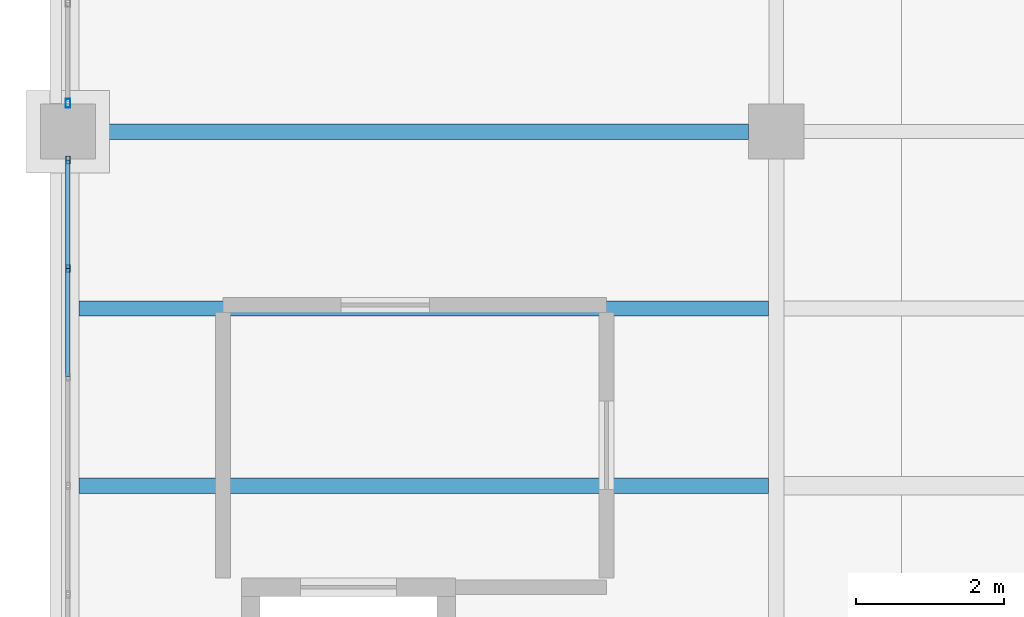
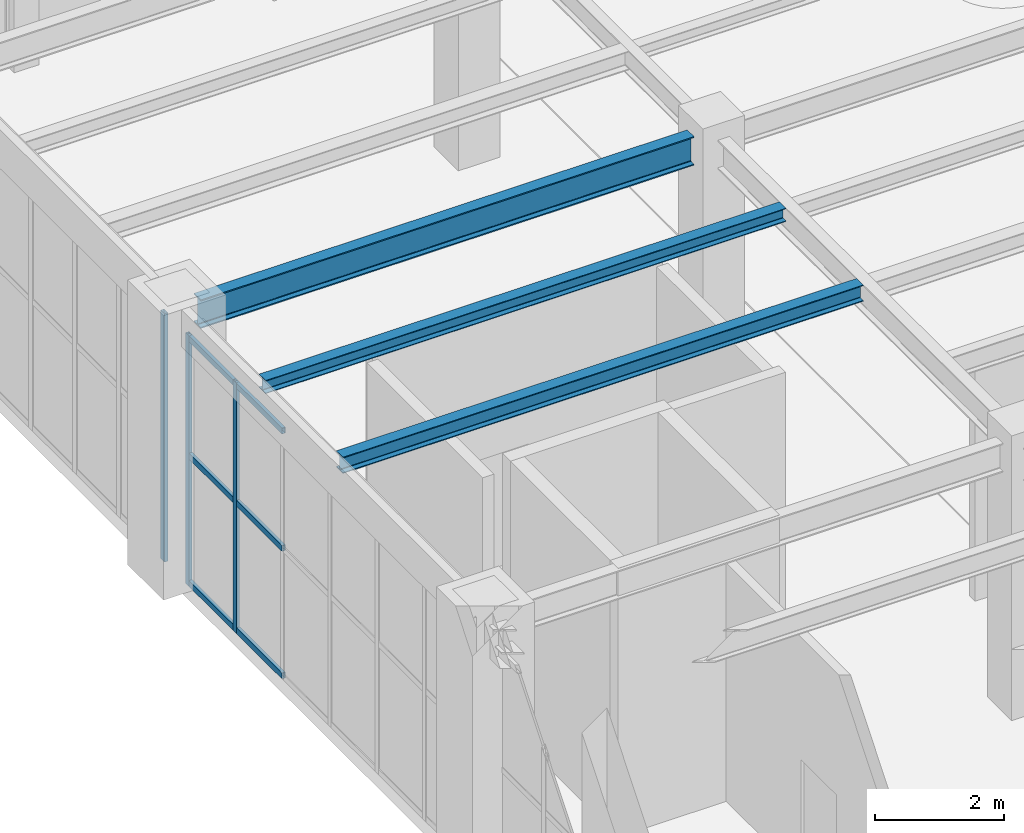
# One storey, part 70 of 164: 9 members, 3 beams, 2 elements without a shape of their own.
"""IFC4 building model written with IfcOpenShell, lengths in metres."""

from ifc_helpers import new_model, si_unit, direction, frame, origin, origin_2d, place, context, subcontext, project, spatial, hollow_rectangle, i_section, extrude, material, material_profile, profile_set, type_object, element, aggregate, save


model = new_model("IFC4")

# Units and contexts
model_context = context("Model", 3, precision=1e-05, world=origin(), true_north=direction((0.0, 1.0)))
body_context = subcontext(model_context, "Body", "Model", "MODEL_VIEW")
ifc_project = project(units=[si_unit("LENGTHUNIT", "METRE"), si_unit("AREAUNIT", "SQUARE_METRE"), si_unit("VOLUMEUNIT", "CUBIC_METRE"), si_unit("PLANEANGLEUNIT", "RADIAN"), si_unit("MASSUNIT", "GRAM", prefix="KILO")], contexts=[model_context])

# Site, building, storey
site_placement = place(None, origin())
site = spatial("IfcSite", under=ifc_project, at=site_placement, CompositionType="ELEMENT")
building_placement = place(site_placement, origin())
building = spatial("IfcBuilding", under=site, at=building_placement, Name="Mavantir Sound Aquarium", CompositionType="ELEMENT")
storey_placement = place(building_placement, origin())
storey = spatial("IfcBuildingStorey", under=building, at=storey_placement, Name="L00", CompositionType="ELEMENT", Elevation=0.0)

# Beams
ifc_material_1 = material(Name="Structural Steel ASTM A992 Gr50", Category="steel")
ifc_material_profile_1 = material_profile(ifc_material_1, i_section(OverallWidth=0.202880859375, OverallDepth=0.251953125, WebThickness=0.008056640625, FlangeThickness=0.013427734375, FilletRadius=0.011962890625, at=origin_2d()), Name="W250X58")
ifc_profile_set_1 = profile_set([ifc_material_profile_1], Name="Structural Steel ASTM A992 Gr50")
beam_type_1 = type_object("IfcBeamType", Name="BM-W250X58-I", PredefinedType="JOIST", material=ifc_profile_set_1)
beam_1_placement = place(storey_placement, frame((0.152587890625, 100.39990234375, 4.969970703125), z_axis=(1.0, 0.0, 0.0), x_axis=(0.0, 1.0, 0.0)))
element("IfcBeam", 1, at=beam_1_placement, inside=storey, type_object=beam_type_1, Name="L00 secondary floor joist SJ-25 584", PredefinedType="JOIST", context=body_context, shape_type="SweptSolid", body=[
    extrude(i_section(OverallWidth=0.202880859375, OverallDepth=0.251953125, WebThickness=0.008056640625, FlangeThickness=0.013427734375, FilletRadius=0.011962890625, at=origin_2d()), origin(), (0.0, 0.0, 1.0), 9.34130859375),
])
ifc_material_profile_2 = material_profile(ifc_material_1, i_section(OverallWidth=0.205078125, OverallDepth=0.31005859375, WebThickness=0.009521484375, FlangeThickness=0.016357421875, FilletRadius=0.012939453125, at=origin_2d()), Name="W310X74")
ifc_profile_set_2 = profile_set([ifc_material_profile_2], Name="Structural Steel ASTM A992 Gr50")
beam_type_2 = type_object("IfcBeamType", Name="BM-W310X74-I", PredefinedType="JOIST", material=ifc_profile_set_2)
beam_2_placement = place(storey_placement, frame((0.152587890625, 98.0, 4.94091796875), z_axis=(1.0, 0.0, 0.0), x_axis=(0.0, 1.0, 0.0)))
element("IfcBeam", 2, at=beam_2_placement, inside=storey, type_object=beam_type_2, Name="L00 secondary floor joist SJ-31 583", PredefinedType="JOIST", context=body_context, shape_type="SweptSolid", body=[
    extrude(i_section(OverallWidth=0.205078125, OverallDepth=0.31005859375, WebThickness=0.009521484375, FlangeThickness=0.016357421875, FilletRadius=0.012939453125, at=origin_2d()), origin(), (0.0, 0.0, 1.0), 9.34130859375),
])
ifc_material_profile_3 = material_profile(ifc_material_1, i_section(OverallWidth=0.2119140625, OverallDepth=0.5439453125, WebThickness=0.01318359375, FlangeThickness=0.021240234375, FilletRadius=0.01806640625, at=origin_2d()), Name="W530X123")
ifc_profile_set_3 = profile_set([ifc_material_profile_3], Name="Structural Steel ASTM A992 Gr50")
beam_type_3 = type_object("IfcBeamType", Name="BM-W530X123-I", PredefinedType="BEAM", material=ifc_profile_set_3)
beam_3_placement = place(storey_placement, frame((0.375, 102.800048828125, 4.823974609375), z_axis=(1.0, 0.0, 0.0), x_axis=(0.0, 1.0, 0.0)))
element("IfcBeam", 3, at=beam_3_placement, inside=storey, type_object=beam_type_3, Name="L00 primary beam SB-53 1038", PredefinedType="BEAM", context=body_context, shape_type="SweptSolid", body=[
    extrude(i_section(OverallWidth=0.2119140625, OverallDepth=0.5439453125, WebThickness=0.01318359375, FlangeThickness=0.021240234375, FilletRadius=0.01806640625, at=origin_2d()), origin(), (0.0, 0.0, 1.0), 8.85009765625),
])

# Curtain wall, members
ifc_material_2 = material(Name="Anodised Marine Aluminium and Low-E Glass", Category="aluminium")
curtain_wall_type_1 = type_object("IfcCurtainWallType", Name="CW-T21", PredefinedType="USERDEFINED", material=ifc_material_2)
curtain_wall_1_placement = place(storey_placement, origin())
curtain_wall_1 = element("IfcCurtainWall", 4, at=curtain_wall_1_placement, inside=storey, type_object=curtain_wall_type_1, Name="L00 unitised curtain wall CW-21 45", ObjectType="UNITISED GLAZING", PredefinedType="USERDEFINED")
ifc_material_3 = material(Name="Anodised Marine Aluminium 6063-T6", Category="aluminium")
ifc_material_profile_4 = material_profile(ifc_material_3, hollow_rectangle(XDim=0.06005859375, YDim=0.10009765625, WallThickness=0.00390625, at=origin_2d()), Name="ALU-MULLION-100X60")
ifc_profile_set_4 = profile_set([ifc_material_profile_4], Name="Anodised Marine Aluminium 6063-T6")
member_type_1 = type_object("IfcMemberType", Name="CW-MUL-100", PredefinedType="MULLION", material=ifc_profile_set_4)
member_1_placement = place(storey_placement, frame((0.0, 102.4169921875, 0.0), z_axis=(0.0, 0.0, 1.0), x_axis=(1.0, 0.0, 0.0)))
member_1 = element("IfcMember", 5, at=member_1_placement, type_object=member_type_1, Name="CW-L00-045 vertical mullion 1", PredefinedType="MULLION", context=body_context, shape_type="SweptSolid", body=[
    extrude(hollow_rectangle(XDim=0.06005859375, YDim=0.10009765625, WallThickness=0.00390625, at=origin_2d()), origin(), (0.0, 0.0, 1.0), 4.756103515625),
])
member_2_placement = place(storey_placement, frame((0.0, 100.944580078125, 0.0), z_axis=(0.0, 0.0, 1.0), x_axis=(1.0, 0.0, 0.0)))
member_2 = element("IfcMember", 6, at=member_2_placement, type_object=member_type_1, Name="CW-L00-045 vertical mullion 2", PredefinedType="MULLION", context=body_context, shape_type="SweptSolid", body=[
    extrude(hollow_rectangle(XDim=0.06005859375, YDim=0.10009765625, WallThickness=0.00390625, at=origin_2d()), origin(), (0.0, 0.0, 1.0), 4.756103515625),
])

# Curtain wall, member
curtain_wall_type_2 = type_object("IfcCurtainWallType", Name="CW-T20", PredefinedType="USERDEFINED", material=ifc_material_2)
curtain_wall_2_placement = place(storey_placement, origin())
curtain_wall_2 = element("IfcCurtainWall", 7, at=curtain_wall_2_placement, inside=storey, type_object=curtain_wall_type_2, Name="L00 unitised curtain wall CW-20 44", ObjectType="UNITISED GLAZING", PredefinedType="USERDEFINED")
ifc_material_profile_5 = material_profile(ifc_material_3, hollow_rectangle(XDim=0.06494140625, YDim=0.1201171875, WallThickness=0.00390625, at=origin_2d()), Name="ALU-MULLION-120X65")
ifc_profile_set_5 = profile_set([ifc_material_profile_5], Name="Anodised Marine Aluminium 6063-T6")
member_type_2 = type_object("IfcMemberType", Name="CW-MUL-120", PredefinedType="MULLION", material=ifc_profile_set_5)
member_3_placement = place(storey_placement, frame((0.0, 103.18310546875, 0.0), z_axis=(0.0, 0.0, 1.0), x_axis=(1.0, 0.0, 0.0)))
member_3 = element("IfcMember", 8, at=member_3_placement, type_object=member_type_2, Name="CW-L00-044 vertical mullion 6", PredefinedType="MULLION", context=body_context, shape_type="SweptSolid", body=[
    extrude(hollow_rectangle(XDim=0.06494140625, YDim=0.1201171875, WallThickness=0.00390625, at=origin_2d()), origin(), (0.0, 0.0, 1.0), 4.712890625),
])
aggregate(curtain_wall_2, [member_3])

# Member
ifc_material_profile_6 = material_profile(ifc_material_3, hollow_rectangle(XDim=0.06005859375, YDim=0.110107421875, WallThickness=0.00390625, at=origin_2d()), Name="ALU-TRANSOM-110X60")
ifc_profile_set_6 = profile_set([ifc_material_profile_6], Name="Anodised Marine Aluminium 6063-T6")
member_type_3 = type_object("IfcMemberType", Name="CW-TRN-110", PredefinedType="USERDEFINED", material=ifc_profile_set_6)
member_4_placement = place(storey_placement, frame((0.0, 102.4169921875, 0.054931640625), z_axis=(0.0, -1.0, 0.0), x_axis=(1.0, 0.0, 0.0)))
member_4 = element("IfcMember", 9, at=member_4_placement, type_object=member_type_3, Name="CW-L00-045 transom 1.1", ObjectType="TRANSOM", PredefinedType="USERDEFINED", context=body_context, shape_type="SweptSolid", body=[
    extrude(hollow_rectangle(XDim=0.06005859375, YDim=0.110107421875, WallThickness=0.00390625, at=origin_2d()), origin(), (0.0, 0.0, 1.0), 1.472412109375),
])

member_5_placement = place(storey_placement, frame((0.0, 102.4169921875, 2.47314453125), z_axis=(0.0, -1.0, 0.0), x_axis=(1.0, 0.0, 0.0)))
member_5 = element("IfcMember", 10, at=member_5_placement, type_object=member_type_3, Name="CW-L00-045 transom 1.2", ObjectType="TRANSOM", PredefinedType="USERDEFINED", context=body_context, shape_type="SweptSolid", body=[
    extrude(hollow_rectangle(XDim=0.06005859375, YDim=0.110107421875, WallThickness=0.00390625, at=origin_2d()), origin(), (0.0, 0.0, 1.0), 1.472412109375),
])

member_6_placement = place(storey_placement, frame((0.0, 102.4169921875, 4.700927734375), z_axis=(0.0, -1.0, 0.0), x_axis=(1.0, 0.0, 0.0)))
member_6 = element("IfcMember", 11, at=member_6_placement, type_object=member_type_3, Name="CW-L00-045 transom 1.3", ObjectType="TRANSOM", PredefinedType="USERDEFINED", context=body_context, shape_type="SweptSolid", body=[
    extrude(hollow_rectangle(XDim=0.06005859375, YDim=0.110107421875, WallThickness=0.00390625, at=origin_2d()), origin(), (0.0, 0.0, 1.0), 1.472412109375),
])

member_7_placement = place(storey_placement, frame((0.0, 100.944580078125, 0.054931640625), z_axis=(0.0, -1.0, 0.0), x_axis=(1.0, 0.0, 0.0)))
member_7 = element("IfcMember", 12, at=member_7_placement, type_object=member_type_3, Name="CW-L00-045 transom 2.1", ObjectType="TRANSOM", PredefinedType="USERDEFINED", context=body_context, shape_type="SweptSolid", body=[
    extrude(hollow_rectangle(XDim=0.06005859375, YDim=0.110107421875, WallThickness=0.00390625, at=origin_2d()), origin(), (0.0, 0.0, 1.0), 1.47216796875),
])

member_8_placement = place(storey_placement, frame((0.0, 100.944580078125, 2.47314453125), z_axis=(0.0, -1.0, 0.0), x_axis=(1.0, 0.0, 0.0)))
member_8 = element("IfcMember", 13, at=member_8_placement, type_object=member_type_3, Name="CW-L00-045 transom 2.2", ObjectType="TRANSOM", PredefinedType="USERDEFINED", context=body_context, shape_type="SweptSolid", body=[
    extrude(hollow_rectangle(XDim=0.06005859375, YDim=0.110107421875, WallThickness=0.00390625, at=origin_2d()), origin(), (0.0, 0.0, 1.0), 1.47216796875),
])

member_9_placement = place(storey_placement, frame((0.0, 100.944580078125, 4.700927734375), z_axis=(0.0, -1.0, 0.0), x_axis=(1.0, 0.0, 0.0)))
member_9 = element("IfcMember", 14, at=member_9_placement, type_object=member_type_3, Name="CW-L00-045 transom 2.3", ObjectType="TRANSOM", PredefinedType="USERDEFINED", context=body_context, shape_type="SweptSolid", body=[
    extrude(hollow_rectangle(XDim=0.06005859375, YDim=0.110107421875, WallThickness=0.00390625, at=origin_2d()), origin(), (0.0, 0.0, 1.0), 1.47216796875),
])

aggregate(curtain_wall_1, [member_1, member_2, member_4, member_5, member_6, member_7, member_8, member_9])

save(model, "model.ifc")
